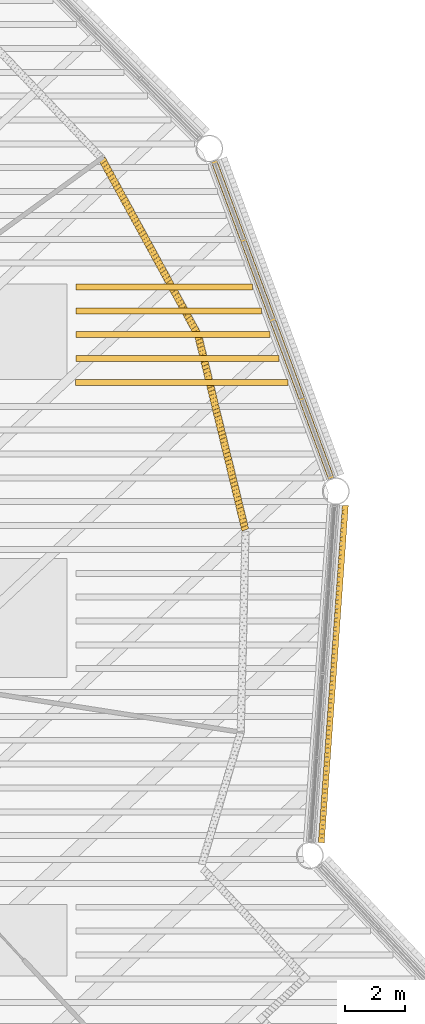
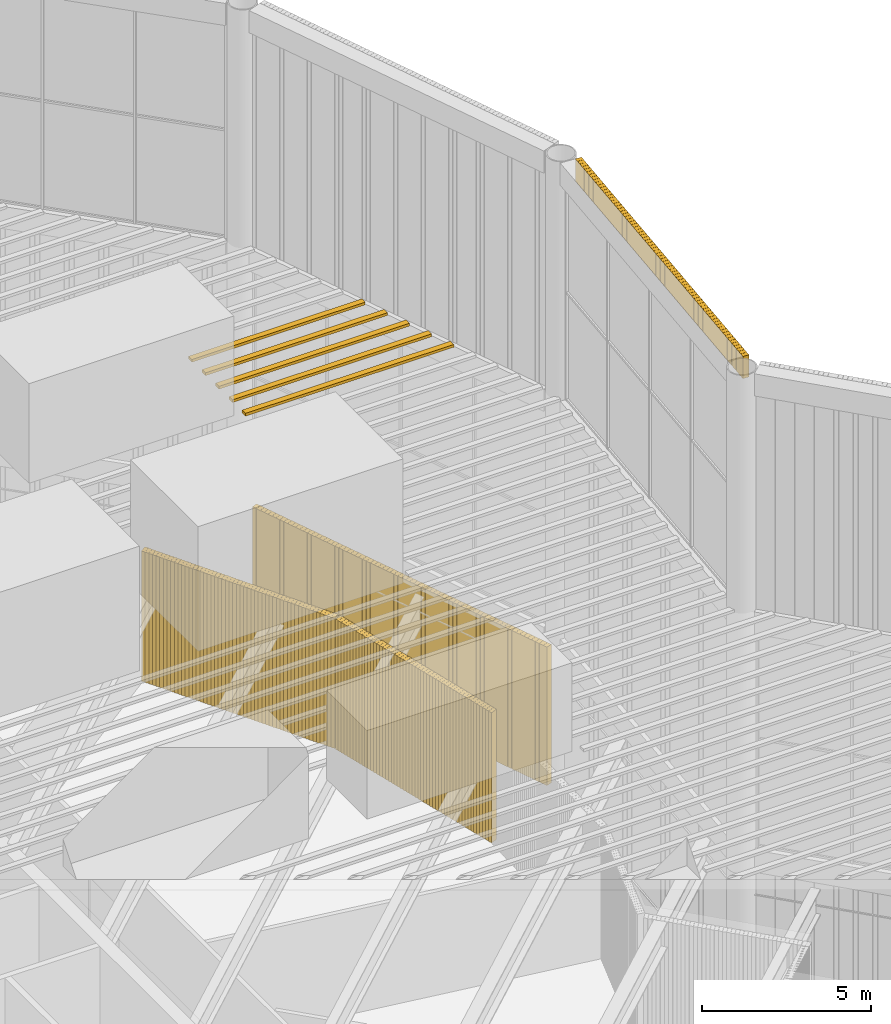
# One storey, part 113 of 117: 7 shading devices, 2 coverings.
"""IFC4 building model written with IfcOpenShell, lengths in metres."""

from ifc_helpers import new_model, si_unit, direction, frame, frame_2d, origin, origin_2d, place, context, subcontext, project, spatial, rectangle, composite_profile, extrude, material, type_object, element, save


model = new_model("IFC4")

# Units and contexts
model_context = context("Model", 3, precision=1e-05, world=origin(), true_north=direction((0.0, 1.0)))
body_context = subcontext(model_context, "Body", "Model", "MODEL_VIEW")
ifc_project = project(units=[si_unit("LENGTHUNIT", "METRE"), si_unit("AREAUNIT", "SQUARE_METRE"), si_unit("VOLUMEUNIT", "CUBIC_METRE"), si_unit("PLANEANGLEUNIT", "RADIAN"), si_unit("MASSUNIT", "GRAM", prefix="KILO")], contexts=[model_context])

# Site, building, storey
site_placement = place(None, origin())
site = spatial("IfcSite", under=ifc_project, at=site_placement, CompositionType="ELEMENT")
building_placement = place(site_placement, origin())
building = spatial("IfcBuilding", under=site, at=building_placement, Name="Tarsis Ring Headquarters", CompositionType="ELEMENT")
storey_placement = place(building_placement, frame((0.0, 0.0, 403.60009765625)))
storey = spatial("IfcBuildingStorey", under=building, at=storey_placement, Name="L95", CompositionType="ELEMENT", Elevation=403.60009765625)

# Coverings
ifc_material_1 = material(Name="Terracotta louvre", Category="masonry")
covering_type = type_object("IfcCoveringType", Name="Crown louvre fin", PredefinedType="CLADDING", material=ifc_material_1)
covering_1_placement = place(storey_placement, frame((28.60107421875, 4.517822265625, 0.0), z_axis=(0.0, 0.0, 1.0), x_axis=(-0.346342724218, 0.938097699664, 0.0)))
element("IfcCovering", 1, at=covering_1_placement, inside=storey, type_object=covering_type, Name="Crown louvre base 7", PredefinedType="CLADDING", context=body_context, shape_type="SweptSolid", body=[
    extrude(composite_profile([rectangle(XDim=0.14501953125, YDim=0.199951171875, at=frame_2d((0.072509765625, 0.0))), rectangle(XDim=0.14501953125, YDim=0.199951171875, at=frame_2d((0.2236328125, 0.0))), rectangle(XDim=0.14501953125, YDim=0.199951171875, at=frame_2d((0.375, 0.0))), rectangle(XDim=0.14501953125, YDim=0.199951171875, at=frame_2d((0.526123046875, 0.0))), rectangle(XDim=0.14501953125, YDim=0.199951171875, at=frame_2d((0.677490234375, 0.0))), rectangle(XDim=0.14501953125, YDim=0.199951171875, at=frame_2d((0.82861328125, 0.0))), rectangle(XDim=0.14501953125, YDim=0.199951171875, at=frame_2d((0.979736328125, 0.0))), rectangle(XDim=0.14501953125, YDim=0.199951171875, at=frame_2d((1.131103515625, 0.0))), rectangle(XDim=0.14501953125, YDim=0.199951171875, at=frame_2d((1.2822265625, 0.0))), rectangle(XDim=0.14501953125, YDim=0.199951171875, at=frame_2d((1.433349609375, 0.0))), rectangle(XDim=0.14501953125, YDim=0.199951171875, at=frame_2d((1.584716796875, 0.0))), rectangle(XDim=0.14501953125, YDim=0.199951171875, at=frame_2d((1.73583984375, 0.0))), rectangle(XDim=0.14501953125, YDim=0.199951171875, at=frame_2d((1.88720703125, 0.0))), rectangle(XDim=0.14501953125, YDim=0.199951171875, at=frame_2d((2.038330078125, 0.0))), rectangle(XDim=0.14501953125, YDim=0.199951171875, at=frame_2d((2.189453125, 0.0))), rectangle(XDim=0.14501953125, YDim=0.199951171875, at=frame_2d((2.3408203125, 0.0))), rectangle(XDim=0.14501953125, YDim=0.199951171875, at=frame_2d((2.491943359375, 0.0))), rectangle(XDim=0.14501953125, YDim=0.199951171875, at=frame_2d((2.64306640625, 0.0))), rectangle(XDim=0.14501953125, YDim=0.199951171875, at=frame_2d((2.79443359375, 0.0))), rectangle(XDim=0.14501953125, YDim=0.199951171875, at=frame_2d((2.945556640625, 0.0))), rectangle(XDim=0.14501953125, YDim=0.199951171875, at=frame_2d((3.096923828125, 0.0))), rectangle(XDim=0.14501953125, YDim=0.199951171875, at=frame_2d((3.248046875, 0.0))), rectangle(XDim=0.14501953125, YDim=0.199951171875, at=frame_2d((3.399169921875, 0.0))), rectangle(XDim=0.14501953125, YDim=0.199951171875, at=frame_2d((3.550537109375, 0.0))), rectangle(XDim=0.14501953125, YDim=0.199951171875, at=frame_2d((3.70166015625, 0.0))), rectangle(XDim=0.14501953125, YDim=0.199951171875, at=frame_2d((3.852783203125, 0.0))), rectangle(XDim=0.14501953125, YDim=0.199951171875, at=frame_2d((4.004150390625, 0.0))), rectangle(XDim=0.14501953125, YDim=0.199951171875, at=frame_2d((4.1552734375, 0.0))), rectangle(XDim=0.14501953125, YDim=0.199951171875, at=frame_2d((4.306640625, 0.0))), rectangle(XDim=0.14501953125, YDim=0.199951171875, at=frame_2d((4.457763671875, 0.0))), rectangle(XDim=0.14501953125, YDim=0.199951171875, at=frame_2d((4.60888671875, 0.0))), rectangle(XDim=0.14501953125, YDim=0.199951171875, at=frame_2d((4.76025390625, 0.0))), rectangle(XDim=0.14501953125, YDim=0.199951171875, at=frame_2d((4.911376953125, 0.0))), rectangle(XDim=0.14501953125, YDim=0.199951171875, at=frame_2d((5.0625, 0.0))), rectangle(XDim=0.14501953125, YDim=0.199951171875, at=frame_2d((5.2138671875, 0.0))), rectangle(XDim=0.14501953125, YDim=0.199951171875, at=frame_2d((5.364990234375, 0.0))), rectangle(XDim=0.14501953125, YDim=0.199951171875, at=frame_2d((5.516357421875, 0.0))), rectangle(XDim=0.14501953125, YDim=0.199951171875, at=frame_2d((5.66748046875, 0.0))), rectangle(XDim=0.14501953125, YDim=0.199951171875, at=frame_2d((5.818603515625, 0.0))), rectangle(XDim=0.14501953125, YDim=0.199951171875, at=frame_2d((5.969970703125, 0.0))), rectangle(XDim=0.14501953125, YDim=0.199951171875, at=frame_2d((6.12109375, 0.0))), rectangle(XDim=0.14501953125, YDim=0.199951171875, at=frame_2d((6.2724609375, 0.0))), rectangle(XDim=0.14501953125, YDim=0.199951171875, at=frame_2d((6.423583984375, 0.0))), rectangle(XDim=0.14501953125, YDim=0.199951171875, at=frame_2d((6.57470703125, 0.0))), rectangle(XDim=0.14501953125, YDim=0.199951171875, at=frame_2d((6.72607421875, 0.0))), rectangle(XDim=0.14501953125, YDim=0.199951171875, at=frame_2d((6.877197265625, 0.0))), rectangle(XDim=0.14501953125, YDim=0.199951171875, at=frame_2d((7.0283203125, 0.0))), rectangle(XDim=0.14501953125, YDim=0.199951171875, at=frame_2d((7.1796875, 0.0))), rectangle(XDim=0.14501953125, YDim=0.199951171875, at=frame_2d((7.330810546875, 0.0))), rectangle(XDim=0.14501953125, YDim=0.199951171875, at=frame_2d((7.482177734375, 0.0))), rectangle(XDim=0.14501953125, YDim=0.199951171875, at=frame_2d((7.63330078125, 0.0))), rectangle(XDim=0.14501953125, YDim=0.199951171875, at=frame_2d((7.784423828125, 0.0))), rectangle(XDim=0.14501953125, YDim=0.199951171875, at=frame_2d((7.935791015625, 0.0))), rectangle(XDim=0.14501953125, YDim=0.199951171875, at=frame_2d((8.0869140625, 0.0))), rectangle(XDim=0.14501953125, YDim=0.199951171875, at=frame_2d((8.238037109375, 0.0))), rectangle(XDim=0.14501953125, YDim=0.199951171875, at=frame_2d((8.389404296875, 0.0))), rectangle(XDim=0.14501953125, YDim=0.199951171875, at=frame_2d((8.54052734375, 0.0))), rectangle(XDim=0.14501953125, YDim=0.199951171875, at=frame_2d((8.69189453125, 0.0))), rectangle(XDim=0.14501953125, YDim=0.199951171875, at=frame_2d((8.843017578125, 0.0))), rectangle(XDim=0.14501953125, YDim=0.199951171875, at=frame_2d((8.994140625, 0.0))), rectangle(XDim=0.14501953125, YDim=0.199951171875, at=frame_2d((9.1455078125, 0.0))), rectangle(XDim=0.14501953125, YDim=0.199951171875, at=frame_2d((9.296630859375, 0.0))), rectangle(XDim=0.14501953125, YDim=0.199951171875, at=frame_2d((9.44775390625, 0.0))), rectangle(XDim=0.14501953125, YDim=0.199951171875, at=frame_2d((9.59912109375, 0.0))), rectangle(XDim=0.14501953125, YDim=0.199951171875, at=frame_2d((9.750244140625, 0.0))), rectangle(XDim=0.14501953125, YDim=0.199951171875, at=frame_2d((9.901611328125, 0.0))), rectangle(XDim=0.14501953125, YDim=0.199951171875, at=frame_2d((10.052734375, 0.0))), rectangle(XDim=0.14501953125, YDim=0.199951171875, at=frame_2d((10.203857421875, 0.0))), rectangle(XDim=0.14501953125, YDim=0.199951171875, at=frame_2d((10.355224609375, 0.0))), rectangle(XDim=0.14501953125, YDim=0.199951171875, at=frame_2d((10.50634765625, 0.0))), rectangle(XDim=0.14501953125, YDim=0.199951171875, at=frame_2d((10.657470703125, 0.0))), rectangle(XDim=0.14501953125, YDim=0.199951171875, at=frame_2d((10.808837890625, 0.0))), rectangle(XDim=0.14501953125, YDim=0.199951171875, at=frame_2d((10.9599609375, 0.0))), rectangle(XDim=0.14501953125, YDim=0.199951171875, at=frame_2d((11.111328125, 0.0))), rectangle(XDim=0.14501953125, YDim=0.199951171875, at=frame_2d((11.262451171875, 0.0)))]), origin(), (0.0, 0.0, 1.0), 5.0),
])
covering_2_placement = place(storey_placement, frame((28.26953125, -7.69775390625, 22.199951171875), z_axis=(0.0, 0.0, 1.0), x_axis=(0.07114241406, 0.997458430258, 0.0)))
element("IfcCovering", 2, at=covering_2_placement, inside=storey, type_object=covering_type, Name="Crown louvre fascia T6", PredefinedType="CLADDING", context=body_context, shape_type="SweptSolid", body=[
    extrude(composite_profile([rectangle(XDim=0.14501953125, YDim=0.199951171875, at=frame_2d((0.072509765625, 0.0))), rectangle(XDim=0.14501953125, YDim=0.199951171875, at=frame_2d((0.2236328125, 0.0))), rectangle(XDim=0.14501953125, YDim=0.199951171875, at=frame_2d((0.375, 0.0))), rectangle(XDim=0.14501953125, YDim=0.199951171875, at=frame_2d((0.526123046875, 0.0))), rectangle(XDim=0.14501953125, YDim=0.199951171875, at=frame_2d((0.677490234375, 0.0))), rectangle(XDim=0.14501953125, YDim=0.199951171875, at=frame_2d((0.82861328125, 0.0))), rectangle(XDim=0.14501953125, YDim=0.199951171875, at=frame_2d((0.979736328125, 0.0))), rectangle(XDim=0.14501953125, YDim=0.199951171875, at=frame_2d((1.131103515625, 0.0))), rectangle(XDim=0.14501953125, YDim=0.199951171875, at=frame_2d((1.2822265625, 0.0))), rectangle(XDim=0.14501953125, YDim=0.199951171875, at=frame_2d((1.433349609375, 0.0))), rectangle(XDim=0.14501953125, YDim=0.199951171875, at=frame_2d((1.584716796875, 0.0))), rectangle(XDim=0.14501953125, YDim=0.199951171875, at=frame_2d((1.73583984375, 0.0))), rectangle(XDim=0.14501953125, YDim=0.199951171875, at=frame_2d((1.88720703125, 0.0))), rectangle(XDim=0.14501953125, YDim=0.199951171875, at=frame_2d((2.038330078125, 0.0))), rectangle(XDim=0.14501953125, YDim=0.199951171875, at=frame_2d((2.189453125, 0.0))), rectangle(XDim=0.14501953125, YDim=0.199951171875, at=frame_2d((2.3408203125, 0.0))), rectangle(XDim=0.14501953125, YDim=0.199951171875, at=frame_2d((2.491943359375, 0.0))), rectangle(XDim=0.14501953125, YDim=0.199951171875, at=frame_2d((2.64306640625, 0.0))), rectangle(XDim=0.14501953125, YDim=0.199951171875, at=frame_2d((2.79443359375, 0.0))), rectangle(XDim=0.14501953125, YDim=0.199951171875, at=frame_2d((2.945556640625, 0.0))), rectangle(XDim=0.14501953125, YDim=0.199951171875, at=frame_2d((3.096923828125, 0.0))), rectangle(XDim=0.14501953125, YDim=0.199951171875, at=frame_2d((3.248046875, 0.0))), rectangle(XDim=0.14501953125, YDim=0.199951171875, at=frame_2d((3.399169921875, 0.0))), rectangle(XDim=0.14501953125, YDim=0.199951171875, at=frame_2d((3.550537109375, 0.0))), rectangle(XDim=0.14501953125, YDim=0.199951171875, at=frame_2d((3.70166015625, 0.0))), rectangle(XDim=0.14501953125, YDim=0.199951171875, at=frame_2d((3.852783203125, 0.0))), rectangle(XDim=0.14501953125, YDim=0.199951171875, at=frame_2d((4.004150390625, 0.0))), rectangle(XDim=0.14501953125, YDim=0.199951171875, at=frame_2d((4.1552734375, 0.0))), rectangle(XDim=0.14501953125, YDim=0.199951171875, at=frame_2d((4.306640625, 0.0))), rectangle(XDim=0.14501953125, YDim=0.199951171875, at=frame_2d((4.457763671875, 0.0))), rectangle(XDim=0.14501953125, YDim=0.199951171875, at=frame_2d((4.60888671875, 0.0))), rectangle(XDim=0.14501953125, YDim=0.199951171875, at=frame_2d((4.76025390625, 0.0))), rectangle(XDim=0.14501953125, YDim=0.199951171875, at=frame_2d((4.911376953125, 0.0))), rectangle(XDim=0.14501953125, YDim=0.199951171875, at=frame_2d((5.0625, 0.0))), rectangle(XDim=0.14501953125, YDim=0.199951171875, at=frame_2d((5.2138671875, 0.0))), rectangle(XDim=0.14501953125, YDim=0.199951171875, at=frame_2d((5.364990234375, 0.0))), rectangle(XDim=0.14501953125, YDim=0.199951171875, at=frame_2d((5.516357421875, 0.0))), rectangle(XDim=0.14501953125, YDim=0.199951171875, at=frame_2d((5.66748046875, 0.0))), rectangle(XDim=0.14501953125, YDim=0.199951171875, at=frame_2d((5.818603515625, 0.0))), rectangle(XDim=0.14501953125, YDim=0.199951171875, at=frame_2d((5.969970703125, 0.0))), rectangle(XDim=0.14501953125, YDim=0.199951171875, at=frame_2d((6.12109375, 0.0))), rectangle(XDim=0.14501953125, YDim=0.199951171875, at=frame_2d((6.2724609375, 0.0))), rectangle(XDim=0.14501953125, YDim=0.199951171875, at=frame_2d((6.423583984375, 0.0))), rectangle(XDim=0.14501953125, YDim=0.199951171875, at=frame_2d((6.57470703125, 0.0))), rectangle(XDim=0.14501953125, YDim=0.199951171875, at=frame_2d((6.72607421875, 0.0))), rectangle(XDim=0.14501953125, YDim=0.199951171875, at=frame_2d((6.877197265625, 0.0))), rectangle(XDim=0.14501953125, YDim=0.199951171875, at=frame_2d((7.0283203125, 0.0))), rectangle(XDim=0.14501953125, YDim=0.199951171875, at=frame_2d((7.1796875, 0.0))), rectangle(XDim=0.14501953125, YDim=0.199951171875, at=frame_2d((7.330810546875, 0.0))), rectangle(XDim=0.14501953125, YDim=0.199951171875, at=frame_2d((7.482177734375, 0.0))), rectangle(XDim=0.14501953125, YDim=0.199951171875, at=frame_2d((7.63330078125, 0.0))), rectangle(XDim=0.14501953125, YDim=0.199951171875, at=frame_2d((7.784423828125, 0.0))), rectangle(XDim=0.14501953125, YDim=0.199951171875, at=frame_2d((7.935791015625, 0.0))), rectangle(XDim=0.14501953125, YDim=0.199951171875, at=frame_2d((8.0869140625, 0.0))), rectangle(XDim=0.14501953125, YDim=0.199951171875, at=frame_2d((8.238037109375, 0.0))), rectangle(XDim=0.14501953125, YDim=0.199951171875, at=frame_2d((8.389404296875, 0.0))), rectangle(XDim=0.14501953125, YDim=0.199951171875, at=frame_2d((8.54052734375, 0.0))), rectangle(XDim=0.14501953125, YDim=0.199951171875, at=frame_2d((8.69189453125, 0.0))), rectangle(XDim=0.14501953125, YDim=0.199951171875, at=frame_2d((8.843017578125, 0.0))), rectangle(XDim=0.14501953125, YDim=0.199951171875, at=frame_2d((8.994140625, 0.0))), rectangle(XDim=0.14501953125, YDim=0.199951171875, at=frame_2d((9.1455078125, 0.0))), rectangle(XDim=0.14501953125, YDim=0.199951171875, at=frame_2d((9.296630859375, 0.0))), rectangle(XDim=0.14501953125, YDim=0.199951171875, at=frame_2d((9.44775390625, 0.0))), rectangle(XDim=0.14501953125, YDim=0.199951171875, at=frame_2d((9.59912109375, 0.0))), rectangle(XDim=0.14501953125, YDim=0.199951171875, at=frame_2d((9.750244140625, 0.0))), rectangle(XDim=0.14501953125, YDim=0.199951171875, at=frame_2d((9.901611328125, 0.0))), rectangle(XDim=0.14501953125, YDim=0.199951171875, at=frame_2d((10.052734375, 0.0))), rectangle(XDim=0.14501953125, YDim=0.199951171875, at=frame_2d((10.203857421875, 0.0))), rectangle(XDim=0.14501953125, YDim=0.199951171875, at=frame_2d((10.355224609375, 0.0))), rectangle(XDim=0.14501953125, YDim=0.199951171875, at=frame_2d((10.50634765625, 0.0))), rectangle(XDim=0.14501953125, YDim=0.199951171875, at=frame_2d((10.657470703125, 0.0))), rectangle(XDim=0.14501953125, YDim=0.199951171875, at=frame_2d((10.808837890625, 0.0))), rectangle(XDim=0.14501953125, YDim=0.199951171875, at=frame_2d((10.9599609375, 0.0))), rectangle(XDim=0.14501953125, YDim=0.199951171875, at=frame_2d((11.111328125, 0.0))), rectangle(XDim=0.14501953125, YDim=0.199951171875, at=frame_2d((11.262451171875, 0.0)))]), origin(), (0.0, 0.0, 1.0), 0.800048828125),
])

# Shading devices
ifc_material_2 = material(Name="Aluminium louvre", Category="aluminium")
shading_device_type_1 = type_object("IfcShadingDeviceType", Name="Crown roof louvre blade", PredefinedType="USERDEFINED", material=ifc_material_2)
shading_device_1_placement = place(storey_placement, frame((23.58837890625, 7.73583984375, 14.39990234375), z_axis=(0.0, 0.0, 1.0), x_axis=(1.0, 0.0, 0.0)))
element("IfcShadingDevice", 3, at=shading_device_1_placement, inside=storey, type_object=shading_device_type_1, Name="Crown roof louvre 82", ObjectType="Crown roof louvre", PredefinedType="USERDEFINED", context=body_context, shape_type="SweptSolid", body=[
    extrude(rectangle(XDim=7.116455078125, YDim=0.199951171875, at=origin_2d()), origin(), (0.0, 0.0, 1.0), 0.10009765625),
])
shading_device_2_placement = place(storey_placement, frame((23.449462890625, 8.535888671875, 14.39990234375), z_axis=(0.0, 0.0, 1.0), x_axis=(1.0, 0.0, 0.0)))
element("IfcShadingDevice", 4, at=shading_device_2_placement, inside=storey, type_object=shading_device_type_1, Name="Crown roof louvre 84", ObjectType="Crown roof louvre", PredefinedType="USERDEFINED", context=body_context, shape_type="SweptSolid", body=[
    extrude(rectangle(XDim=6.803466796875, YDim=0.199951171875, at=origin_2d()), origin(), (0.0, 0.0, 1.0), 0.10009765625),
])
shading_device_3_placement = place(storey_placement, frame((23.3017578125, 9.335693359375, 14.39990234375), z_axis=(0.0, 0.0, 1.0), x_axis=(1.0, 0.0, 0.0)))
element("IfcShadingDevice", 5, at=shading_device_3_placement, inside=storey, type_object=shading_device_type_1, Name="Crown roof louvre 86", ObjectType="Crown roof louvre", PredefinedType="USERDEFINED", context=body_context, shape_type="SweptSolid", body=[
    extrude(rectangle(XDim=6.508056640625, YDim=0.199951171875, at=origin_2d()), origin(), (0.0, 0.0, 1.0), 0.10009765625),
])
shading_device_4_placement = place(storey_placement, frame((23.154052734375, 10.1357421875, 14.39990234375), z_axis=(0.0, 0.0, 1.0), x_axis=(1.0, 0.0, 0.0)))
element("IfcShadingDevice", 6, at=shading_device_4_placement, inside=storey, type_object=shading_device_type_1, Name="Crown roof louvre 88", ObjectType="Crown roof louvre", PredefinedType="USERDEFINED", context=body_context, shape_type="SweptSolid", body=[
    extrude(rectangle(XDim=6.212890625, YDim=0.199951171875, at=origin_2d()), origin(), (0.0, 0.0, 1.0), 0.10009765625),
])
shading_device_5_placement = place(storey_placement, frame((23.00634765625, 10.935791015625, 14.39990234375), z_axis=(0.0, 0.0, 1.0), x_axis=(1.0, 0.0, 0.0)))
element("IfcShadingDevice", 7, at=shading_device_5_placement, inside=storey, type_object=shading_device_type_1, Name="Crown roof louvre 90", ObjectType="Crown roof louvre", PredefinedType="USERDEFINED", context=body_context, shape_type="SweptSolid", body=[
    extrude(rectangle(XDim=5.91748046875, YDim=0.199951171875, at=origin_2d()), origin(), (0.0, 0.0, 1.0), 0.10009765625),
])
shading_device_type_2 = type_object("IfcShadingDeviceType", Name="Plant louvre fin", PredefinedType="USERDEFINED", material=ifc_material_2)
shading_device_6_placement = place(storey_placement, frame((25.72265625, 2.7744140625, 0.0), z_axis=(0.0, 0.0, 1.0), x_axis=(-0.235480004359, 0.971886237332, 0.0)))
element("IfcShadingDevice", 8, at=shading_device_6_placement, inside=storey, type_object=shading_device_type_2, Name="Louvre L95-19", ObjectType="Louvre", PredefinedType="USERDEFINED", context=body_context, shape_type="SweptSolid", body=[
    extrude(composite_profile([rectangle(XDim=0.1201171875, YDim=0.239990234375, at=frame_2d((0.076171875, 0.0), x_axis=(0.990268068742, 0.13917310096))), rectangle(XDim=0.1201171875, YDim=0.239990234375, at=frame_2d((0.202392578125, 0.0), x_axis=(0.990268068742, 0.13917310096))), rectangle(XDim=0.1201171875, YDim=0.239990234375, at=frame_2d((0.328857421875, 0.0), x_axis=(0.990268068742, 0.13917310096))), rectangle(XDim=0.1201171875, YDim=0.239990234375, at=frame_2d((0.455078125, 0.0), x_axis=(0.990268068742, 0.13917310096))), rectangle(XDim=0.1201171875, YDim=0.239990234375, at=frame_2d((0.58154296875, 0.0), x_axis=(0.990268068742, 0.13917310096))), rectangle(XDim=0.1201171875, YDim=0.239990234375, at=frame_2d((0.707763671875, 0.0), x_axis=(0.990268068742, 0.13917310096))), rectangle(XDim=0.1201171875, YDim=0.239990234375, at=frame_2d((0.834228515625, 0.0), x_axis=(0.990268068742, 0.13917310096))), rectangle(XDim=0.1201171875, YDim=0.239990234375, at=frame_2d((0.96044921875, 0.0), x_axis=(0.990268068742, 0.13917310096))), rectangle(XDim=0.1201171875, YDim=0.239990234375, at=frame_2d((1.0869140625, 0.0), x_axis=(0.990268068742, 0.13917310096))), rectangle(XDim=0.1201171875, YDim=0.239990234375, at=frame_2d((1.213134765625, 0.0), x_axis=(0.990268068742, 0.13917310096))), rectangle(XDim=0.1201171875, YDim=0.239990234375, at=frame_2d((1.33935546875, 0.0), x_axis=(0.990268068742, 0.13917310096))), rectangle(XDim=0.1201171875, YDim=0.239990234375, at=frame_2d((1.4658203125, 0.0), x_axis=(0.990268068742, 0.13917310096))), rectangle(XDim=0.1201171875, YDim=0.239990234375, at=frame_2d((1.592041015625, 0.0), x_axis=(0.990268068742, 0.13917310096))), rectangle(XDim=0.1201171875, YDim=0.239990234375, at=frame_2d((1.718505859375, 0.0), x_axis=(0.990268068742, 0.13917310096))), rectangle(XDim=0.1201171875, YDim=0.239990234375, at=frame_2d((1.8447265625, 0.0), x_axis=(0.990268068742, 0.13917310096))), rectangle(XDim=0.1201171875, YDim=0.239990234375, at=frame_2d((1.97119140625, 0.0), x_axis=(0.990268068742, 0.13917310096))), rectangle(XDim=0.1201171875, YDim=0.239990234375, at=frame_2d((2.097412109375, 0.0), x_axis=(0.990268068742, 0.13917310096))), rectangle(XDim=0.1201171875, YDim=0.239990234375, at=frame_2d((2.223876953125, 0.0), x_axis=(0.990268068742, 0.13917310096))), rectangle(XDim=0.1201171875, YDim=0.239990234375, at=frame_2d((2.35009765625, 0.0), x_axis=(0.990268068742, 0.13917310096))), rectangle(XDim=0.1201171875, YDim=0.239990234375, at=frame_2d((2.476318359375, 0.0), x_axis=(0.990268068742, 0.13917310096))), rectangle(XDim=0.1201171875, YDim=0.239990234375, at=frame_2d((2.602783203125, 0.0), x_axis=(0.990268068742, 0.13917310096))), rectangle(XDim=0.1201171875, YDim=0.239990234375, at=frame_2d((2.72900390625, 0.0), x_axis=(0.990268068742, 0.13917310096))), rectangle(XDim=0.1201171875, YDim=0.239990234375, at=frame_2d((2.85546875, 0.0), x_axis=(0.990268068742, 0.13917310096))), rectangle(XDim=0.1201171875, YDim=0.239990234375, at=frame_2d((2.981689453125, 0.0), x_axis=(0.990268068742, 0.13917310096))), rectangle(XDim=0.1201171875, YDim=0.239990234375, at=frame_2d((3.108154296875, 0.0), x_axis=(0.990268068742, 0.13917310096))), rectangle(XDim=0.1201171875, YDim=0.239990234375, at=frame_2d((3.234375, 0.0), x_axis=(0.990268068742, 0.13917310096))), rectangle(XDim=0.1201171875, YDim=0.239990234375, at=frame_2d((3.36083984375, 0.0), x_axis=(0.990268068742, 0.13917310096))), rectangle(XDim=0.1201171875, YDim=0.239990234375, at=frame_2d((3.487060546875, 0.0), x_axis=(0.990268068742, 0.13917310096))), rectangle(XDim=0.1201171875, YDim=0.239990234375, at=frame_2d((3.61328125, 0.0), x_axis=(0.990268068742, 0.13917310096))), rectangle(XDim=0.1201171875, YDim=0.239990234375, at=frame_2d((3.73974609375, 0.0), x_axis=(0.990268068742, 0.13917310096))), rectangle(XDim=0.1201171875, YDim=0.239990234375, at=frame_2d((3.865966796875, 0.0), x_axis=(0.990268068742, 0.13917310096))), rectangle(XDim=0.1201171875, YDim=0.239990234375, at=frame_2d((3.992431640625, 0.0), x_axis=(0.990268068742, 0.13917310096))), rectangle(XDim=0.1201171875, YDim=0.239990234375, at=frame_2d((4.11865234375, 0.0), x_axis=(0.990268068742, 0.13917310096))), rectangle(XDim=0.1201171875, YDim=0.239990234375, at=frame_2d((4.2451171875, 0.0), x_axis=(0.990268068742, 0.13917310096))), rectangle(XDim=0.1201171875, YDim=0.239990234375, at=frame_2d((4.371337890625, 0.0), x_axis=(0.990268068742, 0.13917310096))), rectangle(XDim=0.1201171875, YDim=0.239990234375, at=frame_2d((4.49755859375, 0.0), x_axis=(0.990268068742, 0.13917310096))), rectangle(XDim=0.1201171875, YDim=0.239990234375, at=frame_2d((4.6240234375, 0.0), x_axis=(0.990268068742, 0.13917310096))), rectangle(XDim=0.1201171875, YDim=0.239990234375, at=frame_2d((4.750244140625, 0.0), x_axis=(0.990268068742, 0.13917310096))), rectangle(XDim=0.1201171875, YDim=0.239990234375, at=frame_2d((4.876708984375, 0.0), x_axis=(0.990268068742, 0.13917310096))), rectangle(XDim=0.1201171875, YDim=0.239990234375, at=frame_2d((5.0029296875, 0.0), x_axis=(0.990268068742, 0.13917310096))), rectangle(XDim=0.1201171875, YDim=0.239990234375, at=frame_2d((5.12939453125, 0.0), x_axis=(0.990268068742, 0.13917310096))), rectangle(XDim=0.1201171875, YDim=0.239990234375, at=frame_2d((5.255615234375, 0.0), x_axis=(0.990268068742, 0.13917310096))), rectangle(XDim=0.1201171875, YDim=0.239990234375, at=frame_2d((5.382080078125, 0.0), x_axis=(0.990268068742, 0.13917310096))), rectangle(XDim=0.1201171875, YDim=0.239990234375, at=frame_2d((5.50830078125, 0.0), x_axis=(0.990268068742, 0.13917310096))), rectangle(XDim=0.1201171875, YDim=0.239990234375, at=frame_2d((5.634521484375, 0.0), x_axis=(0.990268068742, 0.13917310096))), rectangle(XDim=0.1201171875, YDim=0.239990234375, at=frame_2d((5.760986328125, 0.0), x_axis=(0.990268068742, 0.13917310096))), rectangle(XDim=0.1201171875, YDim=0.239990234375, at=frame_2d((5.88720703125, 0.0), x_axis=(0.990268068742, 0.13917310096))), rectangle(XDim=0.1201171875, YDim=0.239990234375, at=frame_2d((6.013671875, 0.0), x_axis=(0.990268068742, 0.13917310096))), rectangle(XDim=0.1201171875, YDim=0.239990234375, at=frame_2d((6.139892578125, 0.0), x_axis=(0.990268068742, 0.13917310096))), rectangle(XDim=0.1201171875, YDim=0.239990234375, at=frame_2d((6.266357421875, 0.0), x_axis=(0.990268068742, 0.13917310096))), rectangle(XDim=0.1201171875, YDim=0.239990234375, at=frame_2d((6.392578125, 0.0), x_axis=(0.990268068742, 0.13917310096))), rectangle(XDim=0.1201171875, YDim=0.239990234375, at=frame_2d((6.51904296875, 0.0), x_axis=(0.990268068742, 0.13917310096))), rectangle(XDim=0.1201171875, YDim=0.239990234375, at=frame_2d((6.645263671875, 0.0), x_axis=(0.990268068742, 0.13917310096)))]), origin(), (0.0, 0.0, 1.0), 4.699951171875),
])
shading_device_7_placement = place(storey_placement, frame((24.1279296875, 9.33740234375, 0.0), z_axis=(0.0, 0.0, 1.0), x_axis=(-0.478969925904, 0.877814906291, 0.0)))
element("IfcShadingDevice", 9, at=shading_device_7_placement, inside=storey, type_object=shading_device_type_2, Name="Louvre L95-20", ObjectType="Louvre", PredefinedType="USERDEFINED", context=body_context, shape_type="SweptSolid", body=[
    extrude(composite_profile([rectangle(XDim=0.1201171875, YDim=0.239990234375, at=frame_2d((0.076171875, 0.0), x_axis=(0.990268068742, 0.13917310096))), rectangle(XDim=0.1201171875, YDim=0.239990234375, at=frame_2d((0.202392578125, 0.0), x_axis=(0.990268068742, 0.13917310096))), rectangle(XDim=0.1201171875, YDim=0.239990234375, at=frame_2d((0.328857421875, 0.0), x_axis=(0.990268068742, 0.13917310096))), rectangle(XDim=0.1201171875, YDim=0.239990234375, at=frame_2d((0.455078125, 0.0), x_axis=(0.990268068742, 0.13917310096))), rectangle(XDim=0.1201171875, YDim=0.239990234375, at=frame_2d((0.58154296875, 0.0), x_axis=(0.990268068742, 0.13917310096))), rectangle(XDim=0.1201171875, YDim=0.239990234375, at=frame_2d((0.707763671875, 0.0), x_axis=(0.990268068742, 0.13917310096))), rectangle(XDim=0.1201171875, YDim=0.239990234375, at=frame_2d((0.834228515625, 0.0), x_axis=(0.990268068742, 0.13917310096))), rectangle(XDim=0.1201171875, YDim=0.239990234375, at=frame_2d((0.96044921875, 0.0), x_axis=(0.990268068742, 0.13917310096))), rectangle(XDim=0.1201171875, YDim=0.239990234375, at=frame_2d((1.0869140625, 0.0), x_axis=(0.990268068742, 0.13917310096))), rectangle(XDim=0.1201171875, YDim=0.239990234375, at=frame_2d((1.213134765625, 0.0), x_axis=(0.990268068742, 0.13917310096))), rectangle(XDim=0.1201171875, YDim=0.239990234375, at=frame_2d((1.339599609375, 0.0), x_axis=(0.990268068742, 0.13917310096))), rectangle(XDim=0.1201171875, YDim=0.239990234375, at=frame_2d((1.4658203125, 0.0), x_axis=(0.990268068742, 0.13917310096))), rectangle(XDim=0.1201171875, YDim=0.239990234375, at=frame_2d((1.59228515625, 0.0), x_axis=(0.990268068742, 0.13917310096))), rectangle(XDim=0.1201171875, YDim=0.239990234375, at=frame_2d((1.718505859375, 0.0), x_axis=(0.990268068742, 0.13917310096))), rectangle(XDim=0.1201171875, YDim=0.239990234375, at=frame_2d((1.8447265625, 0.0), x_axis=(0.990268068742, 0.13917310096))), rectangle(XDim=0.1201171875, YDim=0.239990234375, at=frame_2d((1.97119140625, 0.0), x_axis=(0.990268068742, 0.13917310096))), rectangle(XDim=0.1201171875, YDim=0.239990234375, at=frame_2d((2.097412109375, 0.0), x_axis=(0.990268068742, 0.13917310096))), rectangle(XDim=0.1201171875, YDim=0.239990234375, at=frame_2d((2.223876953125, 0.0), x_axis=(0.990268068742, 0.13917310096))), rectangle(XDim=0.1201171875, YDim=0.239990234375, at=frame_2d((2.35009765625, 0.0), x_axis=(0.990268068742, 0.13917310096))), rectangle(XDim=0.1201171875, YDim=0.239990234375, at=frame_2d((2.4765625, 0.0), x_axis=(0.990268068742, 0.13917310096))), rectangle(XDim=0.1201171875, YDim=0.239990234375, at=frame_2d((2.602783203125, 0.0), x_axis=(0.990268068742, 0.13917310096))), rectangle(XDim=0.1201171875, YDim=0.239990234375, at=frame_2d((2.729248046875, 0.0), x_axis=(0.990268068742, 0.13917310096))), rectangle(XDim=0.1201171875, YDim=0.239990234375, at=frame_2d((2.85546875, 0.0), x_axis=(0.990268068742, 0.13917310096))), rectangle(XDim=0.1201171875, YDim=0.239990234375, at=frame_2d((2.98193359375, 0.0), x_axis=(0.990268068742, 0.13917310096))), rectangle(XDim=0.1201171875, YDim=0.239990234375, at=frame_2d((3.108154296875, 0.0), x_axis=(0.990268068742, 0.13917310096))), rectangle(XDim=0.1201171875, YDim=0.239990234375, at=frame_2d((3.234619140625, 0.0), x_axis=(0.990268068742, 0.13917310096))), rectangle(XDim=0.1201171875, YDim=0.239990234375, at=frame_2d((3.36083984375, 0.0), x_axis=(0.990268068742, 0.13917310096))), rectangle(XDim=0.1201171875, YDim=0.239990234375, at=frame_2d((3.487060546875, 0.0), x_axis=(0.990268068742, 0.13917310096))), rectangle(XDim=0.1201171875, YDim=0.239990234375, at=frame_2d((3.613525390625, 0.0), x_axis=(0.990268068742, 0.13917310096))), rectangle(XDim=0.1201171875, YDim=0.239990234375, at=frame_2d((3.73974609375, 0.0), x_axis=(0.990268068742, 0.13917310096))), rectangle(XDim=0.1201171875, YDim=0.239990234375, at=frame_2d((3.8662109375, 0.0), x_axis=(0.990268068742, 0.13917310096))), rectangle(XDim=0.1201171875, YDim=0.239990234375, at=frame_2d((3.992431640625, 0.0), x_axis=(0.990268068742, 0.13917310096))), rectangle(XDim=0.1201171875, YDim=0.239990234375, at=frame_2d((4.118896484375, 0.0), x_axis=(0.990268068742, 0.13917310096))), rectangle(XDim=0.1201171875, YDim=0.239990234375, at=frame_2d((4.2451171875, 0.0), x_axis=(0.990268068742, 0.13917310096))), rectangle(XDim=0.1201171875, YDim=0.239990234375, at=frame_2d((4.37158203125, 0.0), x_axis=(0.990268068742, 0.13917310096))), rectangle(XDim=0.1201171875, YDim=0.239990234375, at=frame_2d((4.497802734375, 0.0), x_axis=(0.990268068742, 0.13917310096))), rectangle(XDim=0.1201171875, YDim=0.239990234375, at=frame_2d((4.624267578125, 0.0), x_axis=(0.990268068742, 0.13917310096))), rectangle(XDim=0.1201171875, YDim=0.239990234375, at=frame_2d((4.75048828125, 0.0), x_axis=(0.990268068742, 0.13917310096))), rectangle(XDim=0.1201171875, YDim=0.239990234375, at=frame_2d((4.876953125, 0.0), x_axis=(0.990268068742, 0.13917310096))), rectangle(XDim=0.1201171875, YDim=0.239990234375, at=frame_2d((5.003173828125, 0.0), x_axis=(0.990268068742, 0.13917310096))), rectangle(XDim=0.1201171875, YDim=0.239990234375, at=frame_2d((5.12939453125, 0.0), x_axis=(0.990268068742, 0.13917310096))), rectangle(XDim=0.1201171875, YDim=0.239990234375, at=frame_2d((5.255859375, 0.0), x_axis=(0.990268068742, 0.13917310096))), rectangle(XDim=0.1201171875, YDim=0.239990234375, at=frame_2d((5.382080078125, 0.0), x_axis=(0.990268068742, 0.13917310096))), rectangle(XDim=0.1201171875, YDim=0.239990234375, at=frame_2d((5.508544921875, 0.0), x_axis=(0.990268068742, 0.13917310096))), rectangle(XDim=0.1201171875, YDim=0.239990234375, at=frame_2d((5.634765625, 0.0), x_axis=(0.990268068742, 0.13917310096))), rectangle(XDim=0.1201171875, YDim=0.239990234375, at=frame_2d((5.76123046875, 0.0), x_axis=(0.990268068742, 0.13917310096))), rectangle(XDim=0.1201171875, YDim=0.239990234375, at=frame_2d((5.887451171875, 0.0), x_axis=(0.990268068742, 0.13917310096))), rectangle(XDim=0.1201171875, YDim=0.239990234375, at=frame_2d((6.013916015625, 0.0), x_axis=(0.990268068742, 0.13917310096))), rectangle(XDim=0.1201171875, YDim=0.239990234375, at=frame_2d((6.14013671875, 0.0), x_axis=(0.990268068742, 0.13917310096))), rectangle(XDim=0.1201171875, YDim=0.239990234375, at=frame_2d((6.2666015625, 0.0), x_axis=(0.990268068742, 0.13917310096))), rectangle(XDim=0.1201171875, YDim=0.239990234375, at=frame_2d((6.392822265625, 0.0), x_axis=(0.990268068742, 0.13917310096))), rectangle(XDim=0.1201171875, YDim=0.239990234375, at=frame_2d((6.519287109375, 0.0), x_axis=(0.990268068742, 0.13917310096))), rectangle(XDim=0.1201171875, YDim=0.239990234375, at=frame_2d((6.6455078125, 0.0), x_axis=(0.990268068742, 0.13917310096)))]), origin(), (0.0, 0.0, 1.0), 4.699951171875),
])

save(model, "model.ifc")
